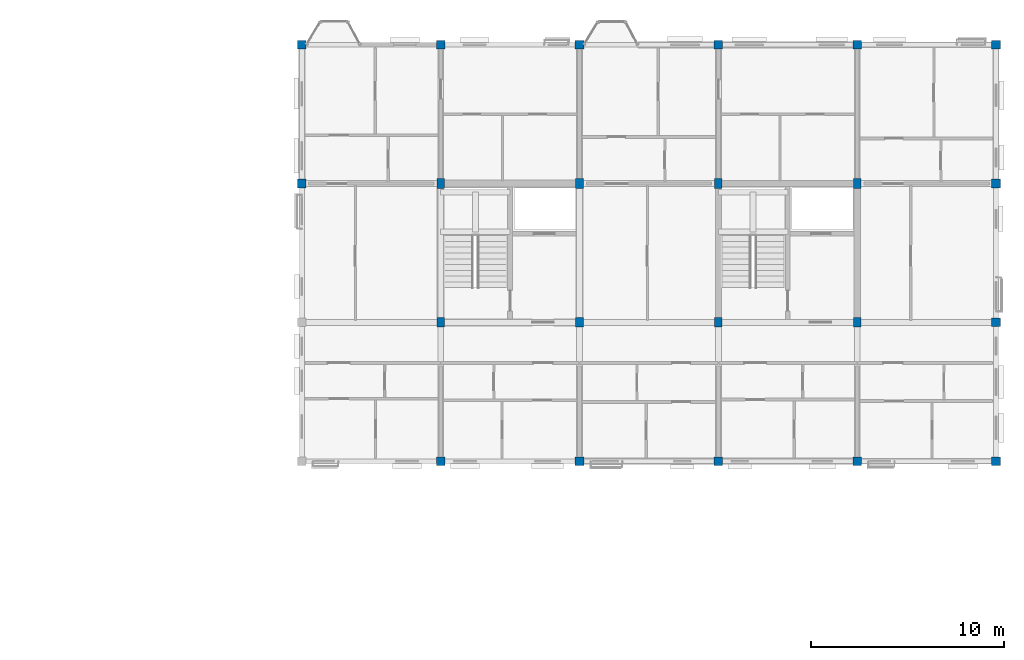
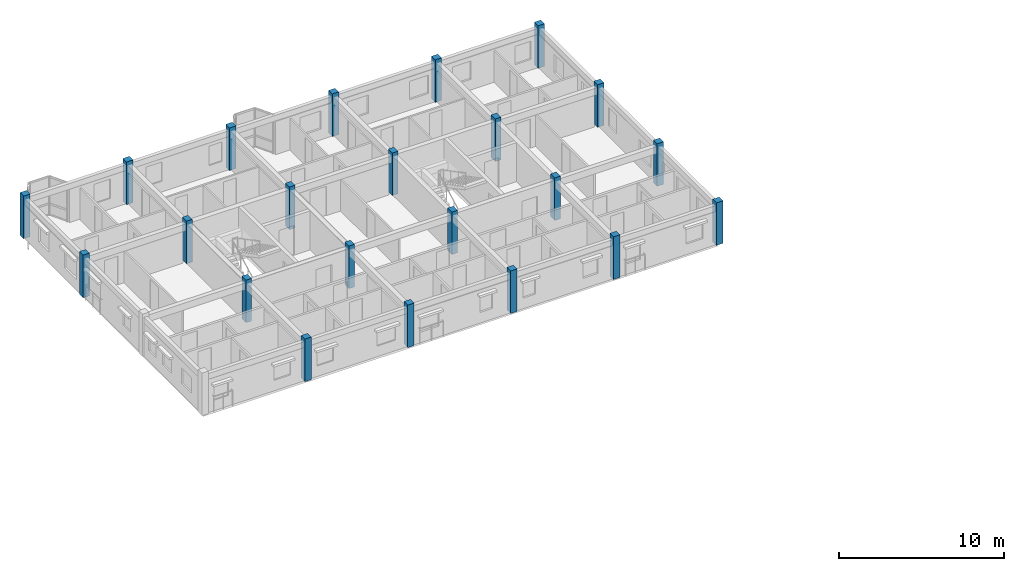
# One storey, part 2 of 28: 22 columns.
"""IFC4 building model written with IfcOpenShell, lengths in metres."""

from ifc_helpers import new_model, si_unit, direction, frame, origin, origin_2d, place, context, subcontext, project, spatial, rectangle, extrude, material, material_profile, profile_set, type_object, element, save


model = new_model("IFC4")

# Units and contexts
model_context = context("Model", 3, precision=1e-05, world=origin(), true_north=direction((0.0, 1.0)))
body_context = subcontext(model_context, "Body", "Model", "MODEL_VIEW")
ifc_project = project(units=[si_unit("LENGTHUNIT", "METRE"), si_unit("AREAUNIT", "SQUARE_METRE"), si_unit("VOLUMEUNIT", "CUBIC_METRE"), si_unit("PLANEANGLEUNIT", "RADIAN"), si_unit("MASSUNIT", "GRAM", prefix="KILO"), si_unit("THERMODYNAMICTEMPERATUREUNIT", "KELVIN"), si_unit("POWERUNIT", "WATT")], contexts=[model_context])

# Site, building, storey
site_placement = place(None, origin())
site = spatial("IfcSite", under=ifc_project, at=site_placement, CompositionType="ELEMENT")
building_placement = place(site_placement, origin())
building = spatial("IfcBuilding", under=site, at=building_placement, Name="Tavuni Mirador Residences", CompositionType="ELEMENT")
storey_placement = place(building_placement, frame((0.0, 0.0, 39.14990234375)))
storey = spatial("IfcBuildingStorey", under=building, at=storey_placement, Name="L12", CompositionType="ELEMENT", Elevation=39.14990234375)

# Columns
ifc_material = material(Name="Precast concrete C40/50", Category="concrete")
ifc_material_profile_1 = material_profile(ifc_material, rectangle(XDim=0.39990234375, YDim=0.5, at=origin_2d()), Name="PC 400x500", Category="concrete")
ifc_profile_set_1 = profile_set([ifc_material_profile_1], Name="Precast concrete C40/50")
column_type_1 = type_object("IfcColumnType", Name="CT-PC400X500", PredefinedType="COLUMN", material=ifc_profile_set_1)
for number, where, z_axis, x_axis, name in (
    (1, (25.199951171875, 158.39990234375, 0.0), (0.0, 0.0, 1.0), (1.0, 0.0, 0.0), "COL-BLK-C-L12-01-01"),
    (2, (25.199951171875, 165.60009765625, 0.0), (0.0, 0.0, 1.0), (1.0, 0.0, 0.0), "COL-BLK-C-L12-01-02"),
    (3, (32.39990234375, 158.39990234375, 0.0), (0.0, 0.0, 1.0), (1.0, 0.0, 0.0), "COL-BLK-C-L12-02-01"),
    (4, (32.39990234375, 165.60009765625, 0.0), (0.0, 0.0, 1.0), (1.0, 0.0, 0.0), "COL-BLK-C-L12-02-02"),
    (5, (39.60009765625, 158.39990234375, 0.0), (0.0, 0.0, 1.0), (1.0, 0.0, 0.0), "COL-BLK-C-L12-03-01"),
    (6, (39.60009765625, 165.60009765625, 0.0), (0.0, 0.0, 1.0), (1.0, 0.0, 0.0), "COL-BLK-C-L12-03-02"),
    (7, (46.800048828125, 158.39990234375, 0.0), (0.0, 0.0, 1.0), (1.0, 0.0, 0.0), "COL-BLK-C-L12-04-01"),
    (8, (46.800048828125, 165.60009765625, 0.0), (0.0, 0.0, 1.0), (1.0, 0.0, 0.0), "COL-BLK-C-L12-04-02"),
):
    element("IfcColumn", number, at=place(storey_placement, frame(where, z_axis=z_axis, x_axis=x_axis)), inside=storey, type_object=column_type_1, Name=name, PredefinedType="COLUMN", context=body_context, shape_type="SweptSolid", body=[
        extrude(rectangle(XDim=0.39990234375, YDim=0.5, at=origin_2d()), origin(), (0.0, 0.0, 1.0), 3.150146484375),
    ])
ifc_material_profile_2 = material_profile(ifc_material, rectangle(XDim=0.449951171875, YDim=0.449951171875, at=origin_2d()), Name="RC 450x450", Category="concrete")
ifc_profile_set_2 = profile_set([ifc_material_profile_2], Name="Precast concrete C40/50")
column_type_2 = type_object("IfcColumnType", Name="CT-RC450", PredefinedType="COLUMN", material=ifc_profile_set_2)
for number, where, z_axis, x_axis, name in (
    (9, (18.0, 165.60009765625, 0.0), (0.0, 0.0, 1.0), (1.0, 0.0, 0.0), "COL-BLK-C-L12-00-02"),
    (10, (18.0, 172.800048828125, 0.0), (0.0, 0.0, 1.0), (1.0, 0.0, 0.0), "COL-BLK-C-L12-00-03"),
    (11, (25.199951171875, 151.199951171875, 0.0), (0.0, 0.0, 1.0), (1.0, 0.0, 0.0), "COL-BLK-C-L12-01-00"),
    (12, (25.199951171875, 172.800048828125, 0.0), (0.0, 0.0, 1.0), (1.0, 0.0, 0.0), "COL-BLK-C-L12-01-03"),
    (13, (32.39990234375, 151.199951171875, 0.0), (0.0, 0.0, 1.0), (1.0, 0.0, 0.0), "COL-BLK-C-L12-02-00"),
    (14, (32.39990234375, 172.800048828125, 0.0), (0.0, 0.0, 1.0), (1.0, 0.0, 0.0), "COL-BLK-C-L12-02-03"),
    (15, (39.60009765625, 151.199951171875, 0.0), (0.0, 0.0, 1.0), (1.0, 0.0, 0.0), "COL-BLK-C-L12-03-00"),
    (16, (39.60009765625, 172.800048828125, 0.0), (0.0, 0.0, 1.0), (1.0, 0.0, 0.0), "COL-BLK-C-L12-03-03"),
    (17, (46.800048828125, 151.199951171875, 0.0), (0.0, 0.0, 1.0), (1.0, 0.0, 0.0), "COL-BLK-C-L12-04-00"),
    (18, (46.800048828125, 172.800048828125, 0.0), (0.0, 0.0, 1.0), (1.0, 0.0, 0.0), "COL-BLK-C-L12-04-03"),
    (19, (54.0, 151.199951171875, 0.0), (0.0, 0.0, 1.0), (1.0, 0.0, 0.0), "COL-BLK-C-L12-05-00"),
    (20, (54.0, 158.39990234375, 0.0), (0.0, 0.0, 1.0), (1.0, 0.0, 0.0), "COL-BLK-C-L12-05-01"),
    (21, (54.0, 165.60009765625, 0.0), (0.0, 0.0, 1.0), (1.0, 0.0, 0.0), "COL-BLK-C-L12-05-02"),
    (22, (54.0, 172.800048828125, 0.0), (0.0, 0.0, 1.0), (1.0, 0.0, 0.0), "COL-BLK-C-L12-05-03"),
):
    element("IfcColumn", number, at=place(storey_placement, frame(where, z_axis=z_axis, x_axis=x_axis)), inside=storey, type_object=column_type_2, Name=name, PredefinedType="COLUMN", context=body_context, shape_type="SweptSolid", body=[
        extrude(rectangle(XDim=0.449951171875, YDim=0.449951171875, at=origin_2d()), origin(), (0.0, 0.0, 1.0), 3.150146484375),
    ])

save(model, "model.ifc")
